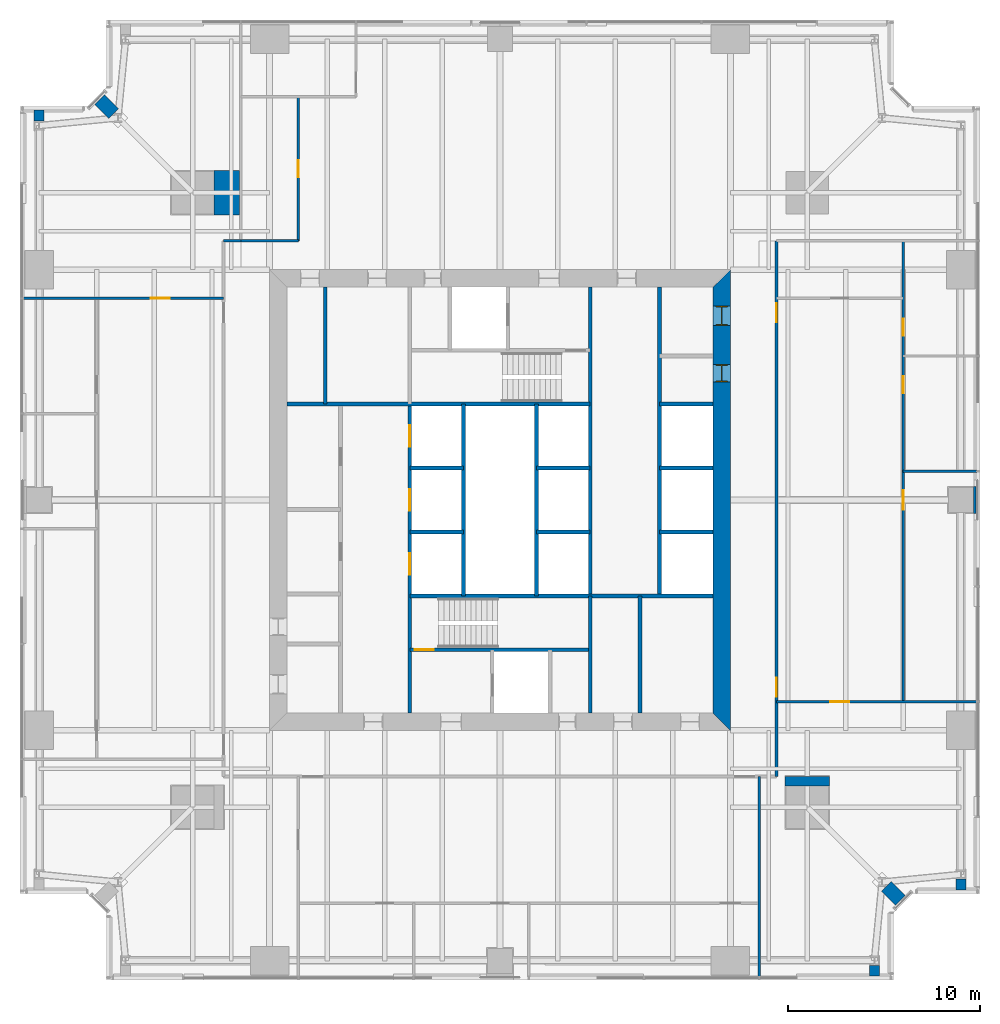
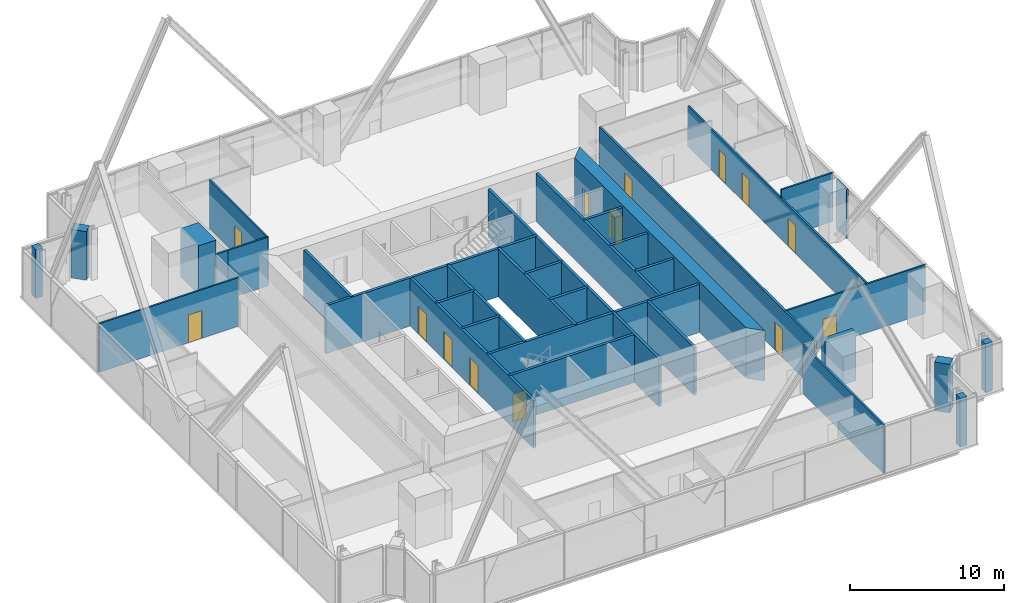
# One storey, part 10 of 13: 36 walls, 14 doors, 14 openings.
"""IFC4 building model written with IfcOpenShell, lengths in metres."""

from ifc_helpers import new_model, si_unit, direction, frame, frame_2d, origin, place, context, subcontext, project, spatial, polyline, rectangle, outline, extrude, material, layer, layer_set, type_object, element, fill, save


model = new_model("IFC4")

# Units and contexts
model_context = context("Model", 3, precision=1e-05, world=origin(), true_north=direction((0.0, 1.0)))
body_context = subcontext(model_context, "Body", "Model", "MODEL_VIEW")
ifc_project = project(units=[si_unit("LENGTHUNIT", "METRE"), si_unit("AREAUNIT", "SQUARE_METRE"), si_unit("VOLUMEUNIT", "CUBIC_METRE"), si_unit("PLANEANGLEUNIT", "RADIAN"), si_unit("MASSUNIT", "GRAM", prefix="KILO")], contexts=[model_context])

# Site, building, storey
site_placement = place(None, origin())
site = spatial("IfcSite", under=ifc_project, at=site_placement, CompositionType="ELEMENT")
building_placement = place(site_placement, origin())
building = spatial("IfcBuilding", under=site, at=building_placement, Name="Fenwick Lantern Interchange", CompositionType="ELEMENT")
storey_placement = place(building_placement, frame((0.0, 0.0, 146.39990234375)))
storey = spatial("IfcBuildingStorey", under=building, at=storey_placement, Name="L34", CompositionType="ELEMENT", Elevation=146.39990234375)

# Walls
ifc_material_1 = material(Name="Fire-rated gypsum board encasement on steel studs, 2 hour", Category="steel")
ifc_layer_1 = layer(ifc_material_1, 1.39990234375)
ifc_layer_set_1 = layer_set([ifc_layer_1], Name="COLUMN PIER 1400")
wall_type_1 = type_object("IfcWallType", Name="COLUMN PIER 1400", PredefinedType="PARTITIONING", material=ifc_layer_set_1)
wall_1_placement = place(storey_placement, frame((49.800048828125, 25.0, 0.0), z_axis=(0.0, 0.0, 1.0), x_axis=(-1.0, 0.0, 0.0)))
element("IfcWall", 1, at=wall_1_placement, inside=storey, type_object=wall_type_1, Name="L34/W/PIER/CE3", PredefinedType="PARTITIONING", context=body_context, shape_type="SweptSolid", body=[
    extrude(rectangle(XDim=0.150146484375, YDim=1.39990234375, at=frame_2d((0.0751953125, 0.0))), origin(), (0.0, 0.0, 1.0), 3.85009765625),
])
ifc_layer_2 = layer(ifc_material_1, 2.300048828125)
ifc_layer_set_2 = layer_set([ifc_layer_2], Name="COLUMN PIER 2300")
wall_type_2 = type_object("IfcWallType", Name="COLUMN PIER 2300", PredefinedType="PARTITIONING", material=ifc_layer_set_2)
wall_2_placement = place(storey_placement, frame((41.0, 10.60009765625, 0.0), z_axis=(0.0, 0.0, 1.0), x_axis=(0.0, -1.0, 0.0)))
element("IfcWall", 2, at=wall_2_placement, inside=storey, type_object=wall_type_2, Name="L34/W/PIER/M2", PredefinedType="PARTITIONING", context=body_context, shape_type="SweptSolid", body=[
    extrude(rectangle(XDim=0.5, YDim=2.300048828125, at=frame_2d((0.25, 0.0))), origin(), (0.0, 0.0, 1.0), 3.85009765625),
])
wall_3_placement = place(storey_placement, frame((11.425048828125, 41.0, 0.0), z_axis=(0.0, 0.0, 1.0), x_axis=(-1.0, 0.0, 0.0)))
element("IfcWall", 3, at=wall_3_placement, inside=storey, type_object=wall_type_2, Name="L34/W/PIER/M4", PredefinedType="PARTITIONING", context=body_context, shape_type="SweptSolid", body=[
    extrude(rectangle(XDim=1.324951171875, YDim=2.300048828125, at=frame_2d((0.66259765625, 0.0))), origin(), (0.0, 0.0, 1.0), 3.85009765625),
])
ifc_layer_3 = layer(ifc_material_1, 0.52392578125)
ifc_layer_set_3 = layer_set([ifc_layer_3], Name="COLUMN PIER 524")
wall_type_3 = type_object("IfcWallType", Name="COLUMN PIER 524", PredefinedType="PARTITIONING", material=ifc_layer_set_3)
for number, where, z_axis, x_axis, name in (
    (4, (44.5, 0.199951171875, 0.0), (0.0, 0.0, 1.0), (0.0, 1.0, 0.0), "L34/W/PIER/CS5"),
    (5, (49.0, 4.699951171875, 0.0), (0.0, 0.0, 1.0), (0.0, 1.0, 0.0), "L34/W/PIER/CE1"),
    (6, (1.0, 45.300048828125, 0.0), (0.0, 0.0, 1.0), (0.0, -1.0, 0.0), "L34/W/PIER/CW1"),
):
    element("IfcWall", number, at=place(storey_placement, frame(where, z_axis=z_axis, x_axis=x_axis)), inside=storey, type_object=wall_type_3, Name=name, PredefinedType="PARTITIONING", context=body_context, shape_type="SweptSolid", body=[
        extrude(rectangle(XDim=0.5625, YDim=0.52392578125, at=frame_2d((0.28125, 0.0))), origin(), (0.0, 0.0, 1.0), 3.85009765625),
    ])
ifc_layer_4 = layer(ifc_material_1, 0.736083984375)
ifc_layer_set_4 = layer_set([ifc_layer_4], Name="COLUMN PIER 736")
wall_type_4 = type_object("IfcWallType", Name="COLUMN PIER 736", PredefinedType="PARTITIONING", material=ifc_layer_set_4)
for number, where, z_axis, x_axis, name in (
    (7, (45.858642578125, 4.141357421875, 0.0), (0.0, 0.0, 1.0), (-0.707106781187, 0.707106781187, 0.0), "L34/W/PIER/CSR"),
    (8, (4.141357421875, 45.858642578125, 0.0), (0.0, 0.0, 1.0), (0.707106781187, -0.707106781187, 0.0), "L34/W/PIER/CNR"),
):
    element("IfcWall", number, at=place(storey_placement, frame(where, z_axis=z_axis, x_axis=x_axis)), inside=storey, type_object=wall_type_4, Name=name, PredefinedType="PARTITIONING", context=body_context, shape_type="SweptSolid", body=[
        extrude(rectangle(XDim=1.037841796875, YDim=0.736083984375, at=frame_2d((0.51904296875, 0.0))), origin(), (0.0, 0.0, 1.0), 3.85009765625),
    ])
ifc_material_2 = material(Name="Concrete masonry ASTM C90 Grade N", Category="masonry")
ifc_layer_5 = layer(ifc_material_2, 0.199951171875)
ifc_layer_set_5 = layer_set([ifc_layer_5], Name="Concrete masonry ASTM C90 Grade N")
wall_type_5 = type_object("IfcWallType", Name="CORE PARTITION 200", PredefinedType="PARTITIONING", material=ifc_layer_set_5)
for number, where, z_axis, x_axis, name in (
    (9, (20.300048828125, 23.333251953125, 0.0), (0.0, 0.0, 1.0), (1.0, 0.0, 0.0), "L34/W/CORES/e1"),
    (10, (20.300048828125, 26.666748046875, 0.0), (0.0, 0.0, 1.0), (1.0, 0.0, 0.0), "L34/W/CORES/e2"),
):
    element("IfcWall", number, at=place(storey_placement, frame(where, z_axis=z_axis, x_axis=x_axis)), inside=storey, type_object=wall_type_5, Name=name, PredefinedType="PARTITIONING", context=body_context, shape_type="SweptSolid", body=[
        extrude(rectangle(XDim=2.800048828125, YDim=0.199951171875, at=frame_2d((1.39990234375, 0.0))), origin(), (0.0, 0.0, 1.0), 3.800048828125),
    ])
wall_4_placement = place(storey_placement, frame((23.10009765625, 20.0, 0.0), z_axis=(0.0, 0.0, 1.0), x_axis=(0.0, 1.0, 0.0)))
element("IfcWall", 11, at=wall_4_placement, inside=storey, type_object=wall_type_5, Name="L34/W/CORES/e3", PredefinedType="PARTITIONING", context=body_context, shape_type="SweptSolid", body=[
    extrude(rectangle(XDim=10.0, YDim=0.199951171875, at=frame_2d((5.0, 0.0))), origin(), (0.0, 0.0, 1.0), 3.800048828125),
])
wall_5_placement = place(storey_placement, frame((32.300048828125, 13.89990234375, 0.0), z_axis=(0.0, 0.0, 1.0), x_axis=(0.0, 1.0, 0.0)))
element("IfcWall", 12, at=wall_5_placement, inside=storey, type_object=wall_type_5, Name="L34/W/CORES/i2", PredefinedType="PARTITIONING", context=body_context, shape_type="SweptSolid", body=[
    extrude(rectangle(XDim=6.10009765625, YDim=0.199951171875, at=frame_2d((3.050048828125, 0.0))), origin(), (0.0, 0.0, 1.0), 3.800048828125),
])
wall_6_placement = place(storey_placement, frame((33.300048828125, 36.10009765625, 0.0), z_axis=(0.0, 0.0, 1.0), x_axis=(0.0, -1.0, 0.0)))
element("IfcWall", 13, at=wall_6_placement, inside=storey, type_object=wall_type_5, Name="L34/W/COREN/a", PredefinedType="PARTITIONING", context=body_context, shape_type="SweptSolid", body=[
    extrude(rectangle(XDim=16.10009765625, YDim=0.199951171875, at=frame_2d((8.050048828125, 0.0))), origin(), (0.0, 0.0, 1.0), 3.800048828125),
])
for number, where, z_axis, x_axis, name in (
    (14, (36.10009765625, 30.0, 0.0), (0.0, 0.0, 1.0), (-1.0, 0.0, 0.0), "L34/W/COREN/c2"),
    (15, (36.10009765625, 26.666748046875, 0.0), (0.0, 0.0, 1.0), (-1.0, 0.0, 0.0), "L34/W/COREN/d1"),
    (16, (36.10009765625, 23.333251953125, 0.0), (0.0, 0.0, 1.0), (-1.0, 0.0, 0.0), "L34/W/COREN/d2"),
    (17, (29.699951171875, 26.666748046875, 0.0), (0.0, 0.0, 1.0), (-1.0, 0.0, 0.0), "L34/W/COREN/e1"),
    (18, (29.699951171875, 23.333251953125, 0.0), (0.0, 0.0, 1.0), (-1.0, 0.0, 0.0), "L34/W/COREN/e2"),
):
    element("IfcWall", number, at=place(storey_placement, frame(where, z_axis=z_axis, x_axis=x_axis)), inside=storey, type_object=wall_type_5, Name=name, PredefinedType="PARTITIONING", context=body_context, shape_type="SweptSolid", body=[
        extrude(rectangle(XDim=2.800048828125, YDim=0.199951171875, at=frame_2d((1.39990234375, 0.0))), origin(), (0.0, 0.0, 1.0), 3.800048828125),
    ])
wall_7_placement = place(storey_placement, frame((26.89990234375, 30.0, 0.0), z_axis=(0.0, 0.0, 1.0), x_axis=(0.0, -1.0, 0.0)))
element("IfcWall", 19, at=wall_7_placement, inside=storey, type_object=wall_type_5, Name="L34/W/COREN/e3", PredefinedType="PARTITIONING", context=body_context, shape_type="SweptSolid", body=[
    extrude(rectangle(XDim=10.0, YDim=0.199951171875, at=frame_2d((5.0, 0.0))), origin(), (0.0, 0.0, 1.0), 3.800048828125),
])
wall_8_placement = place(storey_placement, frame((15.89990234375, 36.10009765625, 0.0), z_axis=(0.0, 0.0, 1.0), x_axis=(0.0, -1.0, 0.0)))
element("IfcWall", 20, at=wall_8_placement, inside=storey, type_object=wall_type_5, Name="L34/W/COREN/i2", PredefinedType="PARTITIONING", context=body_context, shape_type="SweptSolid", body=[
    extrude(rectangle(XDim=6.10009765625, YDim=0.199951171875, at=frame_2d((3.050048828125, 0.0))), origin(), (0.0, 0.0, 1.0), 3.800048828125),
])

# Wall, openings, doors
ifc_material_3 = material(Name="Concrete f'c 70 MPa", Category="concrete")
ifc_layer_6 = layer(ifc_material_3, 0.89990234375)
ifc_layer_set_6 = layer_set([ifc_layer_6], Name="CORE WALL 900")
wall_type_6 = type_object("IfcWallType", Name="CORE WALL 900", PredefinedType="SHEAR", material=ifc_layer_set_6)
wall_9_placement = place(storey_placement, frame((36.550048828125, 13.89990234375, 0.0), z_axis=(0.0, 0.0, 1.0), x_axis=(0.0, 1.0, 0.0)))
wall_9 = element("IfcWall", 21, at=wall_9_placement, inside=storey, type_object=wall_type_6, Name="L34/CORE/E", PredefinedType="SHEAR", context=body_context, shape_type="SweptSolid", body=[
    extrude(outline(polyline([(-0.89990234375, -0.449951171875), (23.10009765625, -0.449951171875), (22.199951171875, 0.449951171875), (0.0, 0.449951171875), (-0.89990234375, -0.449951171875)])), origin(), (0.0, 0.0, 1.0), 4.0),
])
opening_1_placement = place(wall_9_placement, frame((20.199951171875, 0.0, 0.0)))
opening_1 = element("IfcOpeningElement", 22, at=opening_1_placement, cuts=wall_9, Name="Opening L34-D017", PredefinedType="OPENING", context=body_context, shape_type="SweptSolid", body=[
    extrude(rectangle(XDim=1.0, YDim=2.199951171875, at=frame_2d((0.5, 1.10009765625))), frame((0.0, 0.4599609375, 0.0), z_axis=(0.0, -1.0, 0.0), x_axis=(1.0, 0.0, 0.0)), (0.0, 0.0, 1.0), 0.919921875),
])
opening_2_placement = place(wall_9_placement, frame((17.25, 0.0, 0.0)))
opening_2 = element("IfcOpeningElement", 23, at=opening_2_placement, cuts=wall_9, Name="Opening L34-D018", PredefinedType="OPENING", context=body_context, shape_type="SweptSolid", body=[
    extrude(rectangle(XDim=0.89990234375, YDim=2.199951171875, at=frame_2d((0.449951171875, 1.10009765625))), frame((0.0, 0.4599609375, 0.0), z_axis=(0.0, -1.0, 0.0), x_axis=(1.0, 0.0, 0.0)), (0.0, 0.0, 1.0), 0.919921875),
])
ifc_material_4 = material(Name="Steel door and frame", Category="steel")
door_type_1 = type_object("IfcDoorType", Name="SERVICE DOOR 900 X 2200", OperationType="SINGLE_SWING_LEFT", PredefinedType="DOOR", material=ifc_material_4)
door_1_placement = place(opening_2_placement, origin())
door_1 = element("IfcDoor", 24, at=door_1_placement, inside=storey, type_object=door_type_1, Name="Service door", OperationType="SINGLE_SWING_RIGHT", OverallHeight=2.199951171875, OverallWidth=0.89990234375, PredefinedType="DOOR", context=body_context, shape_type="SweptSolid", body=[
    extrude(rectangle(XDim=0.89990234375, YDim=2.199951171875, at=frame_2d((0.449951171875, 1.10009765625))), frame((0.0, 0.02490234375, 0.0), z_axis=(0.0, -1.0, 0.0), x_axis=(1.0, 0.0, 0.0)), (0.0, 0.0, 1.0), 0.050048828125),
    extrude(outline(polyline([(0.0, 0.0), (0.0400390625, 0.0), (0.0400390625, 2.159912109375), (0.85986328125, 2.159912109375), (0.85986328125, 0.0), (0.89990234375, 0.0), (0.89990234375, 2.199951171875), (0.0, 2.199951171875), (0.0, 0.0)])), frame((0.0, 0.300048828125, 0.0), z_axis=(0.0, -1.0, 0.0), x_axis=(1.0, 0.0, 0.0)), (0.0, 0.0, 1.0), 0.60009765625),
])
fill(opening_2, door_1)
ifc_material_5 = material(Name="Hardwood door and steel frame", Category="steel")
door_type_2 = type_object("IfcDoorType", Name="WC DOOR 1000 X 2200", OperationType="SINGLE_SWING_LEFT", PredefinedType="DOOR", material=ifc_material_5)
door_2_placement = place(opening_1_placement, origin())
door_2 = element("IfcDoor", 25, at=door_2_placement, inside=storey, type_object=door_type_2, Name="Wc door", OperationType="SINGLE_SWING_RIGHT", OverallHeight=2.199951171875, OverallWidth=1.0, PredefinedType="DOOR", context=body_context, shape_type="SweptSolid", body=[
    extrude(rectangle(XDim=1.0, YDim=2.199951171875, at=frame_2d((0.5, 1.10009765625))), frame((0.0, 0.02490234375, 0.0), z_axis=(0.0, -1.0, 0.0), x_axis=(1.0, 0.0, 0.0)), (0.0, 0.0, 1.0), 0.050048828125),
    extrude(outline(polyline([(0.0, 0.0), (0.0400390625, 0.0), (0.0400390625, 2.159912109375), (0.9599609375, 2.159912109375), (0.9599609375, 0.0), (1.0, 0.0), (1.0, 2.199951171875), (0.0, 2.199951171875), (0.0, 0.0)])), frame((0.0, 0.300048828125, 0.0), z_axis=(0.0, -1.0, 0.0), x_axis=(1.0, 0.0, 0.0)), (0.0, 0.0, 1.0), 0.60009765625),
])
fill(opening_1, door_2)

ifc_material_6 = material(Name="Gypsum board on steel studs, 1 hour", Category="steel")
ifc_layer_7 = layer(ifc_material_6, 0.14990234375)
ifc_layer_set_7 = layer_set([ifc_layer_7], Name="CORRIDOR WALL 150")
wall_type_7 = type_object("IfcWallType", Name="CORRIDOR WALL 150", PredefinedType="PARTITIONING", material=ifc_layer_set_7)
wall_10_placement = place(storey_placement, frame((39.39990234375, 10.60009765625, 0.0), z_axis=(0.0, 0.0, 1.0), x_axis=(0.0, 1.0, 0.0)))
wall_10 = element("IfcWall", 26, at=wall_10_placement, inside=storey, type_object=wall_type_7, Name="L34/W/OFF/E/CW2", PredefinedType="PARTITIONING", context=body_context, shape_type="SweptSolid", body=[
    extrude(rectangle(XDim=27.89990234375, YDim=0.14990234375, at=frame_2d((13.949951171875, 0.0))), origin(), (0.0, 0.0, 1.0), 3.85009765625),
])
opening_3_placement = place(wall_10_placement, frame((4.14990234375, 0.0, 0.0)))
opening_3 = element("IfcOpeningElement", 27, at=opening_3_placement, cuts=wall_10, Name="Opening L34-D025", PredefinedType="OPENING", context=body_context, shape_type="SweptSolid", body=[
    extrude(rectangle(XDim=1.0, YDim=2.199951171875, at=frame_2d((0.5, 1.10009765625))), frame((0.0, 0.0849609375, 0.0), z_axis=(0.0, -1.0, 0.0), x_axis=(1.0, 0.0, 0.0)), (0.0, 0.0, 1.0), 0.169921875),
])
opening_4_placement = place(wall_10_placement, frame((23.64990234375, 0.0, 0.0)))
opening_4 = element("IfcOpeningElement", 28, at=opening_4_placement, cuts=wall_10, Name="Opening L34-D026", PredefinedType="OPENING", context=body_context, shape_type="SweptSolid", body=[
    extrude(rectangle(XDim=1.0, YDim=2.199951171875, at=frame_2d((0.5, 1.10009765625))), frame((0.0, 0.0849609375, 0.0), z_axis=(0.0, -1.0, 0.0), x_axis=(1.0, 0.0, 0.0)), (0.0, 0.0, 1.0), 0.169921875),
])
door_type_3 = type_object("IfcDoorType", Name="SUITE ENTRANCE DOOR 1000 X 2200", OperationType="SINGLE_SWING_LEFT", PredefinedType="DOOR", material=ifc_material_4)
door_3_placement = place(opening_3_placement, origin())
door_3 = element("IfcDoor", 29, at=door_3_placement, inside=storey, type_object=door_type_3, Name="Suite entrance door", OperationType="SINGLE_SWING_LEFT", OverallHeight=2.199951171875, OverallWidth=1.0, PredefinedType="DOOR", context=body_context, shape_type="SweptSolid", body=[
    extrude(rectangle(XDim=1.0, YDim=2.199951171875, at=frame_2d((0.5, 1.10009765625))), frame((0.0, 0.02490234375, 0.0), z_axis=(0.0, -1.0, 0.0), x_axis=(1.0, 0.0, 0.0)), (0.0, 0.0, 1.0), 0.050048828125),
])
fill(opening_3, door_3)
door_4_placement = place(opening_4_placement, origin())
door_4 = element("IfcDoor", 30, at=door_4_placement, inside=storey, type_object=door_type_3, Name="Suite entrance door", OperationType="SINGLE_SWING_RIGHT", OverallHeight=2.199951171875, OverallWidth=1.0, PredefinedType="DOOR", context=body_context, shape_type="SweptSolid", body=[
    extrude(rectangle(XDim=1.0, YDim=2.199951171875, at=frame_2d((0.5, 1.10009765625))), frame((0.0, 0.02490234375, 0.0), z_axis=(0.0, -1.0, 0.0), x_axis=(1.0, 0.0, 0.0)), (0.0, 0.0, 1.0), 0.050048828125),
])
fill(opening_4, door_4)

# Wall
wall_11_placement = place(storey_placement, frame((11.5, 38.5, 0.0), z_axis=(0.0, 0.0, 1.0), x_axis=(-1.0, 0.0, 0.0)))
element("IfcWall", 31, at=wall_11_placement, inside=storey, type_object=wall_type_7, Name="L34/W/OFF/W/CWJ", PredefinedType="PARTITIONING", context=body_context, shape_type="SweptSolid", body=[
    extrude(rectangle(XDim=0.89990234375, YDim=0.14990234375, at=frame_2d((0.449951171875, 0.0))), origin(), (0.0, 0.0, 1.0), 3.85009765625),
])

# Wall, opening, door
ifc_material_7 = material(Name="Gypsum board on steel studs, acoustic", Category="steel")
ifc_layer_8 = layer(ifc_material_7, 0.125)
ifc_layer_set_8 = layer_set([ifc_layer_8], Name="OFFICE PARTITION 125")
wall_type_8 = type_object("IfcWallType", Name="OFFICE PARTITION 125", PredefinedType="PARTITIONING", material=ifc_layer_set_8)
wall_12_placement = place(storey_placement, frame((49.85009765625, 14.5, 0.0), z_axis=(0.0, 0.0, 1.0), x_axis=(-1.0, 0.0, 0.0)))
wall_12 = element("IfcWall", 32, at=wall_12_placement, inside=storey, type_object=wall_type_8, Name="L34/W/OFF/E/X145-1", PredefinedType="PARTITIONING", context=body_context, shape_type="SweptSolid", body=[
    extrude(rectangle(XDim=10.4501953125, YDim=0.125, at=frame_2d((5.22509765625, 0.0))), origin(), (0.0, 0.0, 1.0), 3.85009765625),
])
opening_5_placement = place(wall_12_placement, frame((6.64990234375, 0.0, 0.0)))
opening_5 = element("IfcOpeningElement", 33, at=opening_5_placement, cuts=wall_12, Name="Opening L34-D027", PredefinedType="OPENING", context=body_context, shape_type="SweptSolid", body=[
    extrude(rectangle(XDim=1.0, YDim=2.199951171875, at=frame_2d((0.5, 1.10009765625))), frame((0.0, 0.072509765625, 0.0), z_axis=(0.0, -1.0, 0.0), x_axis=(1.0, 0.0, 0.0)), (0.0, 0.0, 1.0), 0.14501953125),
])
door_type_4 = type_object("IfcDoorType", Name="MEETING ROOM DOOR 1000 X 2200", OperationType="SINGLE_SWING_LEFT", PredefinedType="DOOR", material=ifc_material_5)
door_5_placement = place(opening_5_placement, origin())
door_5 = element("IfcDoor", 34, at=door_5_placement, inside=storey, type_object=door_type_4, Name="Meeting room door", OperationType="SINGLE_SWING_RIGHT", OverallHeight=2.199951171875, OverallWidth=1.0, PredefinedType="DOOR", context=body_context, shape_type="SweptSolid", body=[
    extrude(rectangle(XDim=1.0, YDim=2.199951171875, at=frame_2d((0.5, 1.10009765625))), frame((0.0, 0.02490234375, 0.0), z_axis=(0.0, -1.0, 0.0), x_axis=(1.0, 0.0, 0.0)), (0.0, 0.0, 1.0), 0.050048828125),
])
fill(opening_5, door_5)

# Wall
wall_13_placement = place(storey_placement, frame((49.85009765625, 26.5, 0.0), z_axis=(0.0, 0.0, 1.0), x_axis=(-1.0, 0.0, 0.0)))
element("IfcWall", 35, at=wall_13_placement, inside=storey, type_object=wall_type_8, Name="L34/W/OFF/E/X265-1", PredefinedType="PARTITIONING", context=body_context, shape_type="SweptSolid", body=[
    extrude(rectangle(XDim=3.85009765625, YDim=0.125, at=frame_2d((1.925048828125, 0.0))), origin(), (0.0, 0.0, 1.0), 3.85009765625),
])

# Wall, openings, doors
wall_14_placement = place(storey_placement, frame((46.0, 14.5, 0.0), z_axis=(0.0, 0.0, 1.0), x_axis=(0.0, 1.0, 0.0)))
wall_14 = element("IfcWall", 36, at=wall_14_placement, inside=storey, type_object=wall_type_8, Name="L34/W/OFF/E/Y40-1", PredefinedType="PARTITIONING", context=body_context, shape_type="SweptSolid", body=[
    extrude(rectangle(XDim=24.0, YDim=0.125, at=frame_2d((12.0, 0.0))), origin(), (0.0, 0.0, 1.0), 3.238037109375),
])
opening_6_placement = place(wall_14_placement, frame((10.0, 0.0, 0.0)))
opening_6 = element("IfcOpeningElement", 37, at=opening_6_placement, cuts=wall_14, Name="Opening L34-D028", PredefinedType="OPENING", context=body_context, shape_type="SweptSolid", body=[
    extrude(rectangle(XDim=1.0, YDim=2.199951171875, at=frame_2d((0.5, 1.10009765625))), frame((0.0, 0.072509765625, 0.0), z_axis=(0.0, -1.0, 0.0), x_axis=(1.0, 0.0, 0.0)), (0.0, 0.0, 1.0), 0.14501953125),
])
opening_7_placement = place(wall_14_placement, frame((16.050048828125, 0.0, 0.0)))
opening_7 = element("IfcOpeningElement", 38, at=opening_7_placement, cuts=wall_14, Name="Opening L34-D029", PredefinedType="OPENING", context=body_context, shape_type="SweptSolid", body=[
    extrude(rectangle(XDim=0.89990234375, YDim=2.199951171875, at=frame_2d((0.449951171875, 1.10009765625))), frame((0.0, 0.072509765625, 0.0), z_axis=(0.0, -1.0, 0.0), x_axis=(1.0, 0.0, 0.0)), (0.0, 0.0, 1.0), 0.14501953125),
])
opening_8_placement = place(wall_14_placement, frame((19.050048828125, 0.0, 0.0)))
opening_8 = element("IfcOpeningElement", 39, at=opening_8_placement, cuts=wall_14, Name="Opening L34-D030", PredefinedType="OPENING", context=body_context, shape_type="SweptSolid", body=[
    extrude(rectangle(XDim=0.89990234375, YDim=2.199951171875, at=frame_2d((0.449951171875, 1.10009765625))), frame((0.0, 0.072509765625, 0.0), z_axis=(0.0, -1.0, 0.0), x_axis=(1.0, 0.0, 0.0)), (0.0, 0.0, 1.0), 0.14501953125),
])
door_6_placement = place(opening_6_placement, frame((1.0, 0.0, 0.0), z_axis=(0.0, 0.0, 1.0), x_axis=(-1.0, 0.0, 0.0)))
door_6 = element("IfcDoor", 40, at=door_6_placement, inside=storey, type_object=door_type_4, Name="Meeting room door", OperationType="SINGLE_SWING_LEFT", OverallHeight=2.199951171875, OverallWidth=1.0, PredefinedType="DOOR", context=body_context, shape_type="SweptSolid", body=[
    extrude(rectangle(XDim=1.0, YDim=2.199951171875, at=frame_2d((0.5, 1.10009765625))), frame((0.0, 0.02490234375, 0.0), z_axis=(0.0, -1.0, 0.0), x_axis=(1.0, 0.0, 0.0)), (0.0, 0.0, 1.0), 0.050048828125),
])
fill(opening_6, door_6)
door_type_5 = type_object("IfcDoorType", Name="OFFICE DOOR 900 X 2200", OperationType="SINGLE_SWING_LEFT", PredefinedType="DOOR", material=ifc_material_5)
door_7_placement = place(opening_7_placement, frame((0.89990234375, 0.0, 0.0), z_axis=(0.0, 0.0, 1.0), x_axis=(-1.0, 0.0, 0.0)))
door_7 = element("IfcDoor", 41, at=door_7_placement, inside=storey, type_object=door_type_5, Name="Office door", OperationType="SINGLE_SWING_LEFT", OverallHeight=2.199951171875, OverallWidth=0.89990234375, PredefinedType="DOOR", context=body_context, shape_type="SweptSolid", body=[
    extrude(rectangle(XDim=0.89990234375, YDim=2.199951171875, at=frame_2d((0.449951171875, 1.10009765625))), frame((0.0, 0.02490234375, 0.0), z_axis=(0.0, -1.0, 0.0), x_axis=(1.0, 0.0, 0.0)), (0.0, 0.0, 1.0), 0.050048828125),
])
fill(opening_7, door_7)
door_8_placement = place(opening_8_placement, frame((0.89990234375, 0.0, 0.0), z_axis=(0.0, 0.0, 1.0), x_axis=(-1.0, 0.0, 0.0)))
door_8 = element("IfcDoor", 42, at=door_8_placement, inside=storey, type_object=door_type_5, Name="Office door", OperationType="SINGLE_SWING_RIGHT", OverallHeight=2.199951171875, OverallWidth=0.89990234375, PredefinedType="DOOR", context=body_context, shape_type="SweptSolid", body=[
    extrude(rectangle(XDim=0.89990234375, YDim=2.199951171875, at=frame_2d((0.449951171875, 1.10009765625))), frame((0.0, 0.02490234375, 0.0), z_axis=(0.0, -1.0, 0.0), x_axis=(1.0, 0.0, 0.0)), (0.0, 0.0, 1.0), 0.050048828125),
])
fill(opening_8, door_8)

# Wall, opening, door
wall_15_placement = place(storey_placement, frame((14.5, 46.0, 0.0), z_axis=(0.0, 0.0, 1.0), x_axis=(0.0, -1.0, 0.0)))
wall_15 = element("IfcWall", 43, at=wall_15_placement, inside=storey, type_object=wall_type_8, Name="L34/W/OFF/N/X355-1", PredefinedType="PARTITIONING", context=body_context, shape_type="SweptSolid", body=[
    extrude(rectangle(XDim=7.5, YDim=0.125, at=frame_2d((3.75, 0.0))), origin(), (0.0, 0.0, 1.0), 3.85009765625),
])
opening_9_placement = place(wall_15_placement, frame((3.300048828125, 0.0, 0.0)))
opening_9 = element("IfcOpeningElement", 44, at=opening_9_placement, cuts=wall_15, Name="Opening L34-D033", PredefinedType="OPENING", context=body_context, shape_type="SweptSolid", body=[
    extrude(rectangle(XDim=0.89990234375, YDim=2.199951171875, at=frame_2d((0.449951171875, 1.10009765625))), frame((0.0, 0.072509765625, 0.0), z_axis=(0.0, -1.0, 0.0), x_axis=(1.0, 0.0, 0.0)), (0.0, 0.0, 1.0), 0.14501953125),
])
door_9_placement = place(opening_9_placement, frame((0.89990234375, 0.0, 0.0), z_axis=(0.0, 0.0, 1.0), x_axis=(-1.0, 0.0, 0.0)))
door_9 = element("IfcDoor", 45, at=door_9_placement, inside=storey, type_object=door_type_5, Name="Office door", OperationType="SINGLE_SWING_RIGHT", OverallHeight=2.199951171875, OverallWidth=0.89990234375, PredefinedType="DOOR", context=body_context, shape_type="SweptSolid", body=[
    extrude(rectangle(XDim=0.89990234375, YDim=2.199951171875, at=frame_2d((0.449951171875, 1.10009765625))), frame((0.0, 0.02490234375, 0.0), z_axis=(0.0, -1.0, 0.0), x_axis=(1.0, 0.0, 0.0)), (0.0, 0.0, 1.0), 0.050048828125),
])
fill(opening_9, door_9)

# Wall
wall_16_placement = place(storey_placement, frame((14.5, 38.5, 0.0), z_axis=(0.0, 0.0, 1.0), x_axis=(-1.0, 0.0, 0.0)))
element("IfcWall", 46, at=wall_16_placement, inside=storey, type_object=wall_type_8, Name="L34/W/OFF/N/CWS1", PredefinedType="PARTITIONING", context=body_context, shape_type="SweptSolid", body=[
    extrude(rectangle(XDim=3.0, YDim=0.125, at=frame_2d((1.5, 0.0))), origin(), (0.0, 0.0, 1.0), 3.85009765625),
])

# Wall, opening, door
wall_17_placement = place(storey_placement, frame((0.14990234375, 35.5, 0.0), z_axis=(0.0, 0.0, 1.0), x_axis=(1.0, 0.0, 0.0)))
wall_17 = element("IfcWall", 47, at=wall_17_placement, inside=storey, type_object=wall_type_8, Name="L34/W/OFF/W/X145-1", PredefinedType="PARTITIONING", context=body_context, shape_type="SweptSolid", body=[
    extrude(rectangle(XDim=10.4501953125, YDim=0.125, at=frame_2d((5.22509765625, 0.0))), origin(), (0.0, 0.0, 1.0), 3.85009765625),
])
opening_10_placement = place(wall_17_placement, frame((6.64990234375, 0.0, 0.0)))
opening_10 = element("IfcOpeningElement", 48, at=opening_10_placement, cuts=wall_17, Name="Opening L34-D036", PredefinedType="OPENING", context=body_context, shape_type="SweptSolid", body=[
    extrude(rectangle(XDim=1.0, YDim=2.199951171875, at=frame_2d((0.5, 1.10009765625))), frame((0.0, 0.072509765625, 0.0), z_axis=(0.0, -1.0, 0.0), x_axis=(1.0, 0.0, 0.0)), (0.0, 0.0, 1.0), 0.14501953125),
])
door_10_placement = place(opening_10_placement, origin())
door_10 = element("IfcDoor", 49, at=door_10_placement, inside=storey, type_object=door_type_4, Name="Meeting room door", OperationType="SINGLE_SWING_RIGHT", OverallHeight=2.199951171875, OverallWidth=1.0, PredefinedType="DOOR", context=body_context, shape_type="SweptSolid", body=[
    extrude(rectangle(XDim=1.0, YDim=2.199951171875, at=frame_2d((0.5, 1.10009765625))), frame((0.0, 0.02490234375, 0.0), z_axis=(0.0, -1.0, 0.0), x_axis=(1.0, 0.0, 0.0)), (0.0, 0.0, 1.0), 0.050048828125),
])
fill(opening_10, door_10)

# Wall, openings, doors
ifc_material_8 = material(Name="Concrete f'c 45 MPa", Category="concrete")
ifc_layer_9 = layer(ifc_material_8, 0.199951171875)
ifc_layer_set_9 = layer_set([ifc_layer_9], Name="STAIR CORE WALL 200")
wall_type_9 = type_object("IfcWallType", Name="STAIR CORE WALL 200", PredefinedType="SOLIDWALL", material=ifc_layer_set_9)
wall_18_placement = place(storey_placement, frame((20.300048828125, 13.89990234375, 0.0), z_axis=(0.0, 0.0, 1.0), x_axis=(0.0, 1.0, 0.0)))
wall_18 = element("IfcWall", 50, at=wall_18_placement, inside=storey, type_object=wall_type_9, Name="L34/W/CORES/b", PredefinedType="SOLIDWALL", context=body_context, shape_type="SweptSolid", body=[
    extrude(rectangle(XDim=16.10009765625, YDim=0.199951171875, at=frame_2d((8.050048828125, 0.0))), origin(), (0.0, 0.0, 1.0), 3.800048828125),
])
opening_11_placement = place(wall_18_placement, frame((7.216552734375, 0.0, 0.0)))
opening_11 = element("IfcOpeningElement", 51, at=opening_11_placement, cuts=wall_18, Name="Opening LD-W2-1", PredefinedType="OPENING", context=body_context, shape_type="SweptSolid", body=[
    extrude(rectangle(XDim=1.10009765625, YDim=2.199951171875, at=frame_2d((0.550048828125, 1.10009765625))), frame((0.0, 0.10986328125, 0.0), z_axis=(0.0, -1.0, 0.0), x_axis=(1.0, 0.0, 0.0)), (0.0, 0.0, 1.0), 0.219970703125),
])
opening_12_placement = place(wall_18_placement, frame((10.550048828125, 0.0, 0.0)))
opening_12 = element("IfcOpeningElement", 52, at=opening_12_placement, cuts=wall_18, Name="Opening LD-W2-2", PredefinedType="OPENING", context=body_context, shape_type="SweptSolid", body=[
    extrude(rectangle(XDim=1.10009765625, YDim=2.199951171875, at=frame_2d((0.550048828125, 1.10009765625))), frame((0.0, 0.10986328125, 0.0), z_axis=(0.0, -1.0, 0.0), x_axis=(1.0, 0.0, 0.0)), (0.0, 0.0, 1.0), 0.219970703125),
])
opening_13_placement = place(wall_18_placement, frame((13.88330078125, 0.0, 0.0)))
opening_13 = element("IfcOpeningElement", 53, at=opening_13_placement, cuts=wall_18, Name="Opening LD-W2-3", PredefinedType="OPENING", context=body_context, shape_type="SweptSolid", body=[
    extrude(rectangle(XDim=1.10009765625, YDim=2.199951171875, at=frame_2d((0.550048828125, 1.10009765625))), frame((0.0, 0.10986328125, 0.0), z_axis=(0.0, -1.0, 0.0), x_axis=(1.0, 0.0, 0.0)), (0.0, 0.0, 1.0), 0.219970703125),
])
door_type_6 = type_object("IfcDoorType", Name="LIFT LANDING DOOR 1100 X 2200", OperationType="DOUBLE_DOOR_SLIDING", PredefinedType="DOOR", material=ifc_material_4)
door_11_placement = place(opening_11_placement, origin())
door_11 = element("IfcDoor", 54, at=door_11_placement, inside=storey, type_object=door_type_6, Name="Lift landing door W2-1", OperationType="DOUBLE_DOOR_SLIDING", OverallHeight=2.199951171875, OverallWidth=1.10009765625, PredefinedType="DOOR", context=body_context, shape_type="SweptSolid", body=[
    extrude(rectangle(XDim=1.10009765625, YDim=2.199951171875, at=frame_2d((0.550048828125, 1.10009765625))), frame((0.0, 0.02490234375, 0.0), z_axis=(0.0, -1.0, 0.0), x_axis=(1.0, 0.0, 0.0)), (0.0, 0.0, 1.0), 0.050048828125),
])
fill(opening_11, door_11)
door_12_placement = place(opening_12_placement, origin())
door_12 = element("IfcDoor", 55, at=door_12_placement, inside=storey, type_object=door_type_6, Name="Lift landing door W2-2", OperationType="DOUBLE_DOOR_SLIDING", OverallHeight=2.199951171875, OverallWidth=1.10009765625, PredefinedType="DOOR", context=body_context, shape_type="SweptSolid", body=[
    extrude(rectangle(XDim=1.10009765625, YDim=2.199951171875, at=frame_2d((0.550048828125, 1.10009765625))), frame((0.0, 0.02490234375, 0.0), z_axis=(0.0, -1.0, 0.0), x_axis=(1.0, 0.0, 0.0)), (0.0, 0.0, 1.0), 0.050048828125),
])
fill(opening_12, door_12)
door_13_placement = place(opening_13_placement, origin())
door_13 = element("IfcDoor", 56, at=door_13_placement, inside=storey, type_object=door_type_6, Name="Lift landing door W2-3", OperationType="DOUBLE_DOOR_SLIDING", OverallHeight=2.199951171875, OverallWidth=1.10009765625, PredefinedType="DOOR", context=body_context, shape_type="SweptSolid", body=[
    extrude(rectangle(XDim=1.10009765625, YDim=2.199951171875, at=frame_2d((0.550048828125, 1.10009765625))), frame((0.0, 0.02490234375, 0.0), z_axis=(0.0, -1.0, 0.0), x_axis=(1.0, 0.0, 0.0)), (0.0, 0.0, 1.0), 0.050048828125),
])
fill(opening_13, door_13)

# Wall, opening, door
wall_19_placement = place(storey_placement, frame((20.300048828125, 17.199951171875, 0.0), z_axis=(0.0, 0.0, 1.0), x_axis=(1.0, 0.0, 0.0)))
wall_19 = element("IfcWall", 57, at=wall_19_placement, inside=storey, type_object=wall_type_9, Name="L34/W/CORES/g1", PredefinedType="SOLIDWALL", context=body_context, shape_type="SweptSolid", body=[
    extrude(rectangle(XDim=9.39990234375, YDim=0.199951171875, at=frame_2d((4.699951171875, 0.0))), origin(), (0.0, 0.0, 1.0), 3.800048828125),
])
opening_14_placement = place(wall_19_placement, frame((0.25, 0.0, 0.0)))
opening_14 = element("IfcOpeningElement", 58, at=opening_14_placement, cuts=wall_19, Name="Opening L34-D003", PredefinedType="OPENING", context=body_context, shape_type="SweptSolid", body=[
    extrude(rectangle(XDim=1.0, YDim=2.199951171875, at=frame_2d((0.5, 1.10009765625))), frame((0.0, 0.10986328125, 0.0), z_axis=(0.0, -1.0, 0.0), x_axis=(1.0, 0.0, 0.0)), (0.0, 0.0, 1.0), 0.219970703125),
])
door_type_7 = type_object("IfcDoorType", Name="STAIR DOOR 1000 X 2200", OperationType="SINGLE_SWING_LEFT", PredefinedType="DOOR", material=ifc_material_4)
door_14_placement = place(opening_14_placement, origin())
door_14 = element("IfcDoor", 59, at=door_14_placement, inside=storey, type_object=door_type_7, Name="Stair door", OperationType="SINGLE_SWING_LEFT", OverallHeight=2.199951171875, OverallWidth=1.0, PredefinedType="DOOR", context=body_context, shape_type="SweptSolid", body=[
    extrude(rectangle(XDim=1.0, YDim=2.199951171875, at=frame_2d((0.5, 1.10009765625))), frame((0.0, 0.02490234375, 0.0), z_axis=(0.0, -1.0, 0.0), x_axis=(1.0, 0.0, 0.0)), (0.0, 0.0, 1.0), 0.050048828125),
])
fill(opening_14, door_14)

# Walls
wall_20_placement = place(storey_placement, frame((20.300048828125, 20.0, 0.0), z_axis=(0.0, 0.0, 1.0), x_axis=(1.0, 0.0, 0.0)))
element("IfcWall", 60, at=wall_20_placement, inside=storey, type_object=wall_type_9, Name="L34/W/CORES/g2", PredefinedType="SOLIDWALL", context=body_context, shape_type="SweptSolid", body=[
    extrude(rectangle(XDim=15.800048828125, YDim=0.199951171875, at=frame_2d((7.89990234375, 0.0))), origin(), (0.0, 0.0, 1.0), 3.800048828125),
])
wall_21_placement = place(storey_placement, frame((29.699951171875, 13.89990234375, 0.0), z_axis=(0.0, 0.0, 1.0), x_axis=(0.0, 1.0, 0.0)))
element("IfcWall", 61, at=wall_21_placement, inside=storey, type_object=wall_type_9, Name="L34/W/CORES/i1", PredefinedType="SOLIDWALL", context=body_context, shape_type="SweptSolid", body=[
    extrude(rectangle(XDim=6.10009765625, YDim=0.199951171875, at=frame_2d((3.050048828125, 0.0))), origin(), (0.0, 0.0, 1.0), 3.800048828125),
])
wall_22_placement = place(storey_placement, frame((29.699951171875, 36.10009765625, 0.0), z_axis=(0.0, 0.0, 1.0), x_axis=(0.0, -1.0, 0.0)))
element("IfcWall", 62, at=wall_22_placement, inside=storey, type_object=wall_type_9, Name="L34/W/COREN/b", PredefinedType="SOLIDWALL", context=body_context, shape_type="SweptSolid", body=[
    extrude(rectangle(XDim=16.10009765625, YDim=0.199951171875, at=frame_2d((8.050048828125, 0.0))), origin(), (0.0, 0.0, 1.0), 3.800048828125),
])
wall_23_placement = place(storey_placement, frame((29.699951171875, 30.0, 0.0), z_axis=(0.0, 0.0, 1.0), x_axis=(-1.0, 0.0, 0.0)))
element("IfcWall", 63, at=wall_23_placement, inside=storey, type_object=wall_type_9, Name="L34/W/COREN/g2", PredefinedType="SOLIDWALL", context=body_context, shape_type="SweptSolid", body=[
    extrude(rectangle(XDim=15.800048828125, YDim=0.199951171875, at=frame_2d((7.89990234375, 0.0))), origin(), (0.0, 0.0, 1.0), 3.800048828125),
])
ifc_material_9 = material(Name="Gypsum board on steel studs, 1 hour acoustic", Category="steel")
ifc_layer_10 = layer(ifc_material_9, 0.14990234375)
ifc_layer_set_10 = layer_set([ifc_layer_10], Name="TENANT WALL 150")
wall_type_10 = type_object("IfcWallType", Name="TENANT WALL 150", PredefinedType="PARTITIONING", material=ifc_layer_set_10)
wall_24_placement = place(storey_placement, frame((38.5, 0.14990234375, 0.0), z_axis=(0.0, 0.0, 1.0), x_axis=(0.0, 1.0, 0.0)))
element("IfcWall", 64, at=wall_24_placement, inside=storey, type_object=wall_type_10, Name="L34/W/OFF/E/BACK", PredefinedType="PARTITIONING", context=body_context, shape_type="SweptSolid", body=[
    extrude(rectangle(XDim=10.4501953125, YDim=0.14990234375, at=frame_2d((5.22509765625, 0.0))), origin(), (0.0, 0.0, 1.0), 3.85009765625),
])

save(model, "model.ifc")
